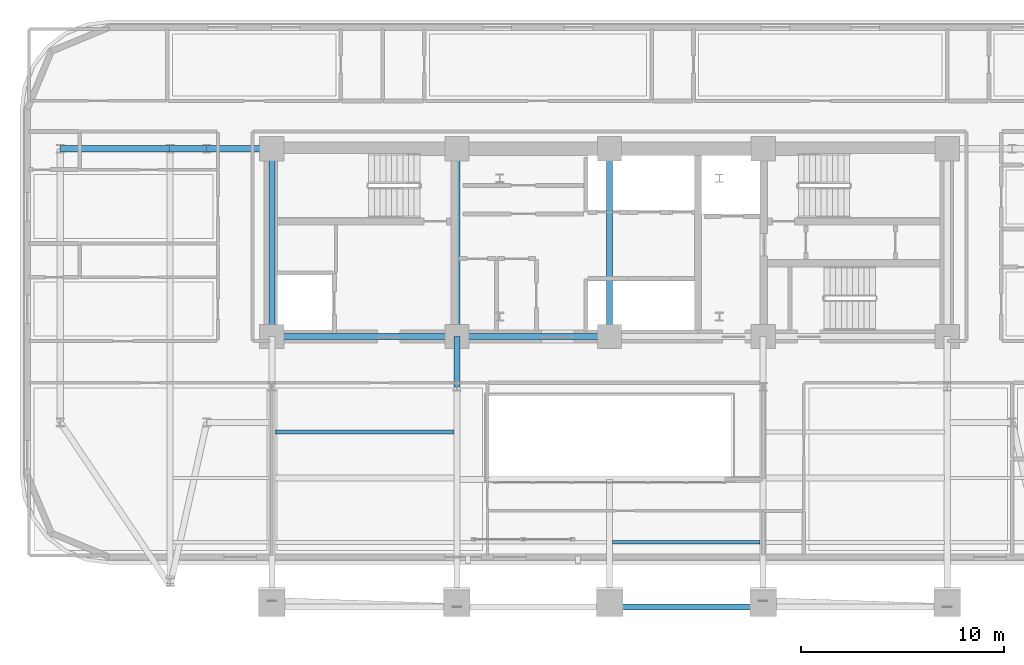
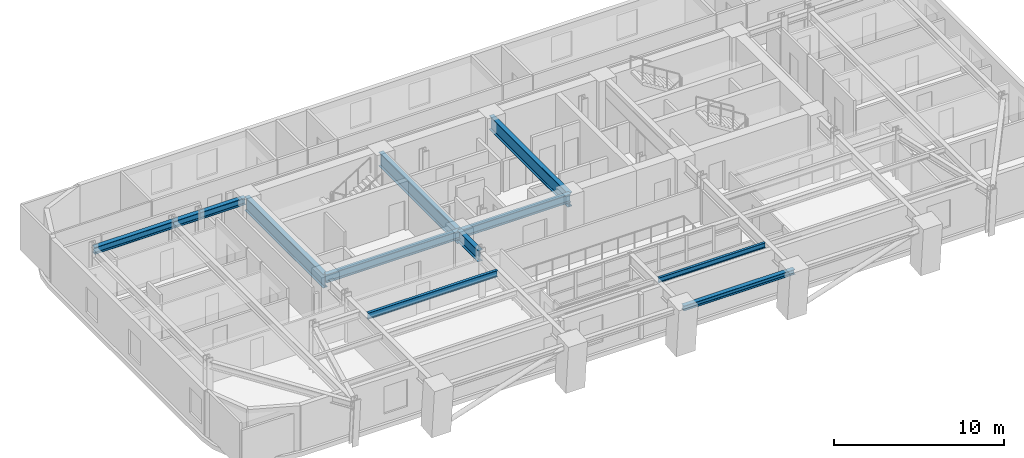
# One storey, part 4 of 15: 12 beams.
"""IFC4 building model written with IfcOpenShell, lengths in metres."""

from ifc_helpers import new_model, si_unit, direction, frame, origin, origin_2d, place, context, subcontext, project, spatial, i_section, extrude, material, material_profile, profile_set, type_object, element, save


model = new_model("IFC4")

# Units and contexts
model_context = context("Model", 3, precision=1e-05, world=origin(), true_north=direction((0.0, 1.0)))
body_context = subcontext(model_context, "Body", "Model", "MODEL_VIEW")
ifc_project = project(units=[si_unit("LENGTHUNIT", "METRE"), si_unit("AREAUNIT", "SQUARE_METRE"), si_unit("VOLUMEUNIT", "CUBIC_METRE"), si_unit("PLANEANGLEUNIT", "RADIAN"), si_unit("MASSUNIT", "GRAM", prefix="KILO")], contexts=[model_context])

# Site, building, storey
site_placement = place(None, origin())
site = spatial("IfcSite", under=ifc_project, at=site_placement, CompositionType="ELEMENT")
building_placement = place(site_placement, origin())
building = spatial("IfcBuilding", under=site, at=building_placement, Name="Zarnavel Station Tower", CompositionType="ELEMENT")
storey_placement = place(building_placement, frame((0.0, 0.0, 125.800048828125)))
storey = spatial("IfcBuildingStorey", under=building, at=storey_placement, Name="L34", CompositionType="ELEMENT", Elevation=125.800048828125)

# Beams
ifc_material_1 = material(Name="Steel S355J2", Category="steel")
ifc_material_profile_1 = material_profile(ifc_material_1, i_section(OverallWidth=0.300048828125, OverallDepth=0.360107421875, WebThickness=0.012451171875, FlangeThickness=0.0224609375, FilletRadius=0.027099609375, at=origin_2d()), Name="HEB360")
ifc_profile_set_1 = profile_set([ifc_material_profile_1], Name="Steel S355J2")
beam_type_1 = type_object("IfcBeamType", Name="EB_HEB360", PredefinedType="SPANDREL", material=ifc_profile_set_1)
beam_1_placement = place(storey_placement, frame((28.800048828125, 14.534423828125, 3.06005859375), z_axis=(1.0, 0.0, 0.0), x_axis=(0.0, 1.0, 0.0)))
element("IfcBeam", 1, at=beam_1_placement, inside=storey, type_object=beam_type_1, Name="L34 South Raked Spandrel 3", PredefinedType="SPANDREL", context=body_context, shape_type="SweptSolid", body=[
    extrude(i_section(OverallWidth=0.300048828125, OverallDepth=0.360107421875, WebThickness=0.012451171875, FlangeThickness=0.0224609375, FilletRadius=0.027099609375, at=origin_2d()), origin(), (0.0, 0.0, 1.0), 7.550048828125),
])
ifc_material_2 = material(Name="Steel S355J2", Category="steel")
ifc_material_profile_2 = material_profile(ifc_material_2, i_section(OverallWidth=0.18994140625, OverallDepth=0.449951171875, WebThickness=0.009521484375, FlangeThickness=0.0146484375, FilletRadius=0.02099609375, at=origin_2d()), Name="IPE450")
ifc_profile_set_2 = profile_set([ifc_material_profile_2], Name="Steel S355J2")
beam_type_2 = type_object("IfcBeamType", Name="FB_IPE450", PredefinedType="BEAM", material=ifc_profile_set_2)
beam_2_placement = place(storey_placement, frame((12.344970703125, 23.133544921875, 3.014892578125), z_axis=(1.0, 0.0, 0.0), x_axis=(0.0, 1.0, 0.0)))
element("IfcBeam", 2, at=beam_2_placement, inside=storey, type_object=beam_type_2, Name="L34 West Bay Beam 3", PredefinedType="BEAM", context=body_context, shape_type="SweptSolid", body=[
    extrude(i_section(OverallWidth=0.18994140625, OverallDepth=0.449951171875, WebThickness=0.009521484375, FlangeThickness=0.0146484375, FilletRadius=0.02099609375, at=origin_2d()), origin(), (0.0, 0.0, 1.0), 8.81005859375),
])
ifc_material_3 = material(Name="Steel S355J2", Category="steel")
ifc_material_profile_3 = material_profile(ifc_material_3, i_section(OverallWidth=0.300048828125, OverallDepth=0.5, WebThickness=0.014404296875, FlangeThickness=0.028076171875, FilletRadius=0.027099609375, at=origin_2d()), Name="HEB500")
ifc_profile_set_3 = profile_set([ifc_material_profile_3], Name="Steel S355J2")
beam_type_3 = type_object("IfcBeamType", Name="FG_HEB500", PredefinedType="USERDEFINED", material=ifc_profile_set_3)
beam_3_placement = place(storey_placement, frame((1.800048828125, 37.050048828125, 2.989990234375), z_axis=(1.0, 0.0, 0.0), x_axis=(0.0, 1.0, 0.0)))
element("IfcBeam", 3, at=beam_3_placement, inside=storey, type_object=beam_type_3, Name="L34 West Wing North Tie 1", ObjectType="GIRDER", PredefinedType="USERDEFINED", context=body_context, shape_type="SweptSolid", body=[
    extrude(i_section(OverallWidth=0.300048828125, OverallDepth=0.5, WebThickness=0.014404296875, FlangeThickness=0.028076171875, FilletRadius=0.027099609375, at=origin_2d()), origin(), (0.0, 0.0, 1.0), 5.39990234375),
])
beam_4_placement = place(storey_placement, frame((7.199951171875, 37.050048828125, 2.989990234375), z_axis=(1.0, 0.0, 0.0), x_axis=(0.0, 1.0, 0.0)))
element("IfcBeam", 4, at=beam_4_placement, inside=storey, type_object=beam_type_3, Name="L34 West Wing North Tie 2", ObjectType="GIRDER", PredefinedType="USERDEFINED", context=body_context, shape_type="SweptSolid", body=[
    extrude(i_section(OverallWidth=0.300048828125, OverallDepth=0.5, WebThickness=0.014404296875, FlangeThickness=0.028076171875, FilletRadius=0.027099609375, at=origin_2d()), origin(), (0.0, 0.0, 1.0), 1.800048828125),
])
beam_5_placement = place(storey_placement, frame((9.0, 37.050048828125, 2.989990234375), z_axis=(1.0, 0.0, 0.0), x_axis=(0.0, 1.0, 0.0)))
element("IfcBeam", 5, at=beam_5_placement, inside=storey, type_object=beam_type_3, Name="L34 West Wing North Tie 3", ObjectType="GIRDER", PredefinedType="USERDEFINED", context=body_context, shape_type="SweptSolid", body=[
    extrude(i_section(OverallWidth=0.300048828125, OverallDepth=0.5, WebThickness=0.014404296875, FlangeThickness=0.028076171875, FilletRadius=0.027099609375, at=origin_2d()), origin(), (0.0, 0.0, 1.0), 3.054931640625),
])
ifc_material_4 = material(Name="Steel S355J2", Category="steel")
ifc_material_profile_4 = material_profile(ifc_material_4, i_section(OverallWidth=0.300048828125, OverallDepth=0.60009765625, WebThickness=0.015380859375, FlangeThickness=0.030029296875, FilletRadius=0.027099609375, at=origin_2d()), Name="HEB600")
ifc_profile_set_4 = profile_set([ifc_material_profile_4], Name="Steel S355J2")
beam_type_4 = type_object("IfcBeamType", Name="FG_HEB600", PredefinedType="USERDEFINED", material=ifc_profile_set_4)
beam_6_placement = place(storey_placement, frame((12.199951171875, 27.820068359375, 2.93994140625), z_axis=(1.0, 0.0, 0.0), x_axis=(0.0, 1.0, 0.0)))
element("IfcBeam", 6, at=beam_6_placement, inside=storey, type_object=beam_type_4, Name="L34 Core Front Coupling Beam 1", ObjectType="GIRDER", PredefinedType="USERDEFINED", context=body_context, shape_type="SweptSolid", body=[
    extrude(i_section(OverallWidth=0.300048828125, OverallDepth=0.60009765625, WebThickness=0.015380859375, FlangeThickness=0.030029296875, FilletRadius=0.027099609375, at=origin_2d()), origin(), (0.0, 0.0, 1.0), 9.10009765625),
])
beam_7_placement = place(storey_placement, frame((21.300048828125, 27.820068359375, 2.93994140625), z_axis=(1.0, 0.0, 0.0), x_axis=(0.0, 1.0, 0.0)))
element("IfcBeam", 7, at=beam_7_placement, inside=storey, type_object=beam_type_4, Name="L34 Core Front Coupling Beam 2", ObjectType="GIRDER", PredefinedType="USERDEFINED", context=body_context, shape_type="SweptSolid", body=[
    extrude(i_section(OverallWidth=0.300048828125, OverallDepth=0.60009765625, WebThickness=0.015380859375, FlangeThickness=0.030029296875, FilletRadius=0.027099609375, at=origin_2d()), origin(), (0.0, 0.0, 1.0), 7.5),
])
ifc_material_5 = material(Name="Steel S460M", Category="steel")
ifc_material_profile_5 = material_profile(ifc_material_5, i_section(OverallWidth=0.302978515625, OverallDepth=0.81396484375, WebThickness=0.02099609375, FlangeThickness=0.0400390625, FilletRadius=0.030029296875, at=origin_2d()), Name="HEM800")
ifc_profile_set_5 = profile_set([ifc_material_profile_5], Name="Steel S460M")
beam_type_5 = type_object("IfcBeamType", Name="FG_HEM800", PredefinedType="USERDEFINED", material=ifc_profile_set_5)
beam_8_placement = place(storey_placement, frame((21.300048828125, 25.35009765625, 2.8330078125), z_axis=(0.0, 1.0, 0.0), x_axis=(-1.0, 0.0, 0.0)))
element("IfcBeam", 8, at=beam_8_placement, inside=storey, type_object=beam_type_5, Name="L34 Inner-Zone NS Girder 2", ObjectType="GIRDER", PredefinedType="USERDEFINED", context=body_context, shape_type="SweptSolid", body=[
    extrude(i_section(OverallWidth=0.302978515625, OverallDepth=0.81396484375, WebThickness=0.02099609375, FlangeThickness=0.0400390625, FilletRadius=0.030029296875, at=origin_2d()), origin(), (0.0, 0.0, 1.0), 2.469970703125),
])
ifc_material_6 = material(Name="Steel S355J2", Category="steel")
ifc_material_profile_6 = material_profile(ifc_material_6, i_section(OverallWidth=0.169921875, OverallDepth=0.360107421875, WebThickness=0.008056640625, FlangeThickness=0.0126953125, FilletRadius=0.01806640625, at=origin_2d()), Name="IPE360")
ifc_profile_set_6 = profile_set([ifc_material_profile_6], Name="Steel S355J2")
beam_type_6 = type_object("IfcBeamType", Name="FJ_IPE360", PredefinedType="JOIST", material=ifc_profile_set_6)
beam_9_placement = place(storey_placement, frame((28.945068359375, 17.70068359375, 3.06005859375), z_axis=(1.0, 0.0, 0.0), x_axis=(0.0, 1.0, 0.0)))
element("IfcBeam", 9, at=beam_9_placement, inside=storey, type_object=beam_type_6, Name="L34 Mid-East Joist 1", PredefinedType="JOIST", context=body_context, shape_type="SweptSolid", body=[
    extrude(i_section(OverallWidth=0.169921875, OverallDepth=0.360107421875, WebThickness=0.008056640625, FlangeThickness=0.0126953125, FilletRadius=0.01806640625, at=origin_2d()), origin(), (0.0, 0.0, 1.0), 7.260009765625),
])
ifc_material_7 = material(Name="Steel S460M", Category="steel")
ifc_material_profile_7 = material_profile(ifc_material_7, i_section(OverallWidth=0.302001953125, OverallDepth=1.008056640625, WebThickness=0.02099609375, FlangeThickness=0.0400390625, FilletRadius=0.030029296875, at=origin_2d()), Name="HEM1000")
ifc_profile_set_7 = profile_set([ifc_material_profile_7], Name="Steel S460M")
beam_type_7 = type_object("IfcBeamType", Name="TG_HEM1000", PredefinedType="USERDEFINED", material=ifc_profile_set_7)
for number, where, z_axis, x_axis, name in (
    (10, (12.199951171875, 27.820068359375, 2.73583984375), (0.0, 1.0, 0.0), (-1.0, 0.0, 0.0), "L34 Core Spine Coupling Girder 1"),
    (11, (21.300048828125, 27.820068359375, 2.73583984375), (0.0, 1.0, 0.0), (-1.0, 0.0, 0.0), "L34 Core Spine Coupling Girder 2"),
    (12, (28.800048828125, 27.820068359375, 2.73583984375), (0.0, 1.0, 0.0), (-1.0, 0.0, 0.0), "L34 Core Spine Coupling Girder 3"),
):
    element("IfcBeam", number, at=place(storey_placement, frame(where, z_axis=z_axis, x_axis=x_axis)), inside=storey, type_object=beam_type_7, Name=name, ObjectType="GIRDER", PredefinedType="USERDEFINED", context=body_context, shape_type="SweptSolid", body=[
        extrude(i_section(OverallWidth=0.302001953125, OverallDepth=1.008056640625, WebThickness=0.02099609375, FlangeThickness=0.0400390625, FilletRadius=0.030029296875, at=origin_2d()), origin(), (0.0, 0.0, 1.0), 9.22998046875),
    ])

save(model, "model.ifc")
